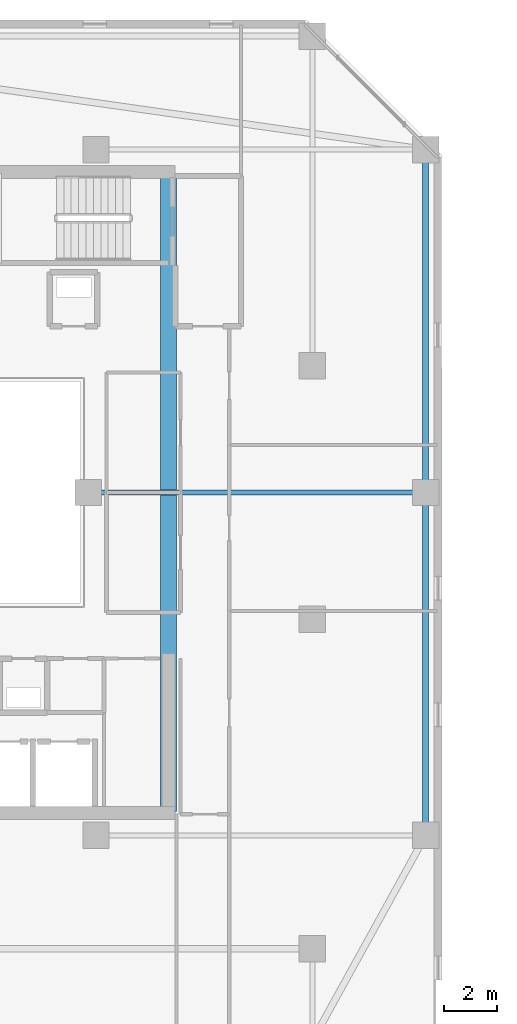
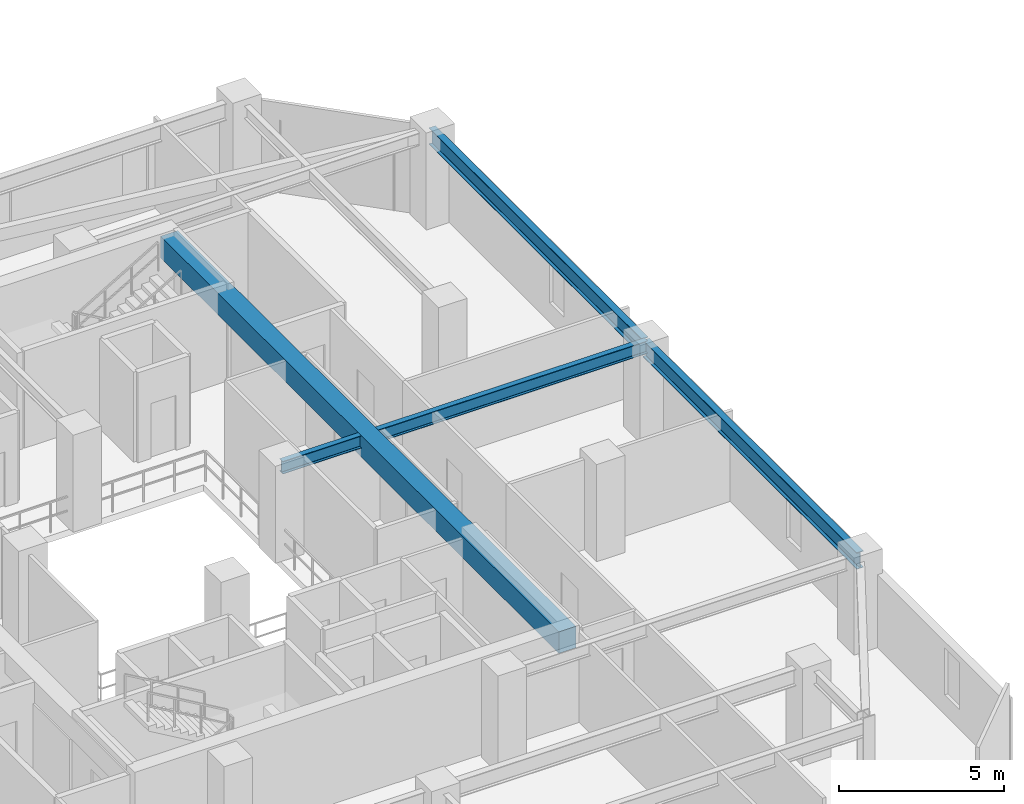
# One storey, part 6 of 32: 4 beams.
"""IFC4 building model written with IfcOpenShell, lengths in metres."""

from ifc_helpers import new_model, si_unit, direction, frame, origin, origin_2d, place, context, subcontext, project, spatial, rectangle, i_section, extrude, material, material_profile, profile_set, type_object, element, save


model = new_model("IFC4")

# Units and contexts
model_context = context("Model", 3, precision=1e-05, world=origin(), true_north=direction((0.0, 1.0)))
body_context = subcontext(model_context, "Body", "Model", "MODEL_VIEW")
ifc_project = project(units=[si_unit("LENGTHUNIT", "METRE"), si_unit("AREAUNIT", "SQUARE_METRE"), si_unit("VOLUMEUNIT", "CUBIC_METRE"), si_unit("PLANEANGLEUNIT", "RADIAN"), si_unit("MASSUNIT", "GRAM", prefix="KILO")], contexts=[model_context])

# Site, building, storey
site_placement = place(None, origin())
site = spatial("IfcSite", under=ifc_project, at=site_placement, CompositionType="ELEMENT")
building_placement = place(site_placement, origin())
building = spatial("IfcBuilding", under=site, at=building_placement, Name="Thornwick Lancets Civic Towers", CompositionType="ELEMENT")
storey_placement = place(building_placement, frame((0.0, 0.0, 243.89990234375)))
storey = spatial("IfcBuildingStorey", under=building, at=storey_placement, Name="L65", CompositionType="ELEMENT", Elevation=243.89990234375)

# Beams
ifc_material_1 = material(Name="Concrete C60/75", Category="concrete")
ifc_material_profile_1 = material_profile(ifc_material_1, rectangle(XDim=0.60009765625, YDim=0.800048828125, at=origin_2d()), Name="RC 600x800")
ifc_profile_set_1 = profile_set([ifc_material_profile_1], Name="Concrete C60/75")
beam_type_1 = type_object("IfcBeamType", Name="BM_COUP_RC800", PredefinedType="BEAM", material=ifc_profile_set_1)
beam_1_placement = place(storey_placement, frame((33.050048828125, 14.89990234375, 2.960205078125), z_axis=(0.0, 1.0, 0.0), x_axis=(-1.0, 0.0, 0.0)))
element("IfcBeam", 1, at=beam_1_placement, inside=storey, type_object=beam_type_1, Name="CB-L65-A1", PredefinedType="BEAM", context=body_context, shape_type="SweptSolid", body=[
    extrude(rectangle(XDim=0.60009765625, YDim=0.800048828125, at=origin_2d()), origin(), (0.0, 0.0, 1.0), 24.2001953125),
])
ifc_material_2 = material(Name="Steel S355JR", Category="steel")
ifc_material_profile_2 = material_profile(ifc_material_2, i_section(OverallWidth=0.230224609375, OverallDepth=0.6171875, WebThickness=0.01318359375, FlangeThickness=0.022216796875, FilletRadius=0.0126953125, at=origin_2d()), Name="UKB 610x229x140")
ifc_profile_set_2 = profile_set([ifc_material_profile_2], Name="Steel S355JR")
beam_type_2 = type_object("IfcBeamType", Name="BM_GIRD_610_140", PredefinedType="BEAM", material=ifc_profile_set_2)
beam_2_placement = place(storey_placement, frame((42.800048828125, 14.0, 3.051513671875), z_axis=(0.0, 1.0, 0.0), x_axis=(-1.0, 0.0, 0.0)))
element("IfcBeam", 2, at=beam_2_placement, inside=storey, type_object=beam_type_2, Name="BM-SPINE-L65-A-3-4", PredefinedType="BEAM", context=body_context, shape_type="SweptSolid", body=[
    extrude(i_section(OverallWidth=0.230224609375, OverallDepth=0.6171875, WebThickness=0.01318359375, FlangeThickness=0.022216796875, FilletRadius=0.0126953125, at=origin_2d()), origin(), (0.0, 0.0, 1.0), 13.0),
])
beam_3_placement = place(storey_placement, frame((42.800048828125, 27.080078125, 3.051513671875), z_axis=(0.0, 1.0, 0.0), x_axis=(-1.0, 0.0, 0.0)))
element("IfcBeam", 3, at=beam_3_placement, inside=storey, type_object=beam_type_2, Name="BM-SPINE-L65-A-4-5", PredefinedType="BEAM", context=body_context, shape_type="SweptSolid", body=[
    extrude(i_section(OverallWidth=0.230224609375, OverallDepth=0.6171875, WebThickness=0.01318359375, FlangeThickness=0.022216796875, FilletRadius=0.0126953125, at=origin_2d()), origin(), (0.0, 0.0, 1.0), 12.919921875),
])
ifc_material_profile_3 = material_profile(ifc_material_2, i_section(OverallWidth=0.19287109375, OverallDepth=0.46728515625, WebThickness=0.011474609375, FlangeThickness=0.01953125, FilletRadius=0.01025390625, at=origin_2d()), Name="UKB 457x191x98")
ifc_profile_set_3 = profile_set([ifc_material_profile_3], Name="Steel S355JR")
beam_type_3 = type_object("IfcBeamType", Name="BM_JOIST_457_98", PredefinedType="JOIST", material=ifc_profile_set_3)
beam_4_placement = place(storey_placement, frame((30.0, 27.0, 3.12646484375), z_axis=(1.0, 0.0, 0.0), x_axis=(0.0, 1.0, 0.0)))
element("IfcBeam", 4, at=beam_4_placement, inside=storey, type_object=beam_type_3, Name="BM-RADIN-L65-A05", PredefinedType="JOIST", context=body_context, shape_type="SweptSolid", body=[
    extrude(i_section(OverallWidth=0.19287109375, OverallDepth=0.46728515625, WebThickness=0.011474609375, FlangeThickness=0.01953125, FilletRadius=0.01025390625, at=origin_2d()), origin(), (0.0, 0.0, 1.0), 12.800048828125),
])

save(model, "model.ifc")
